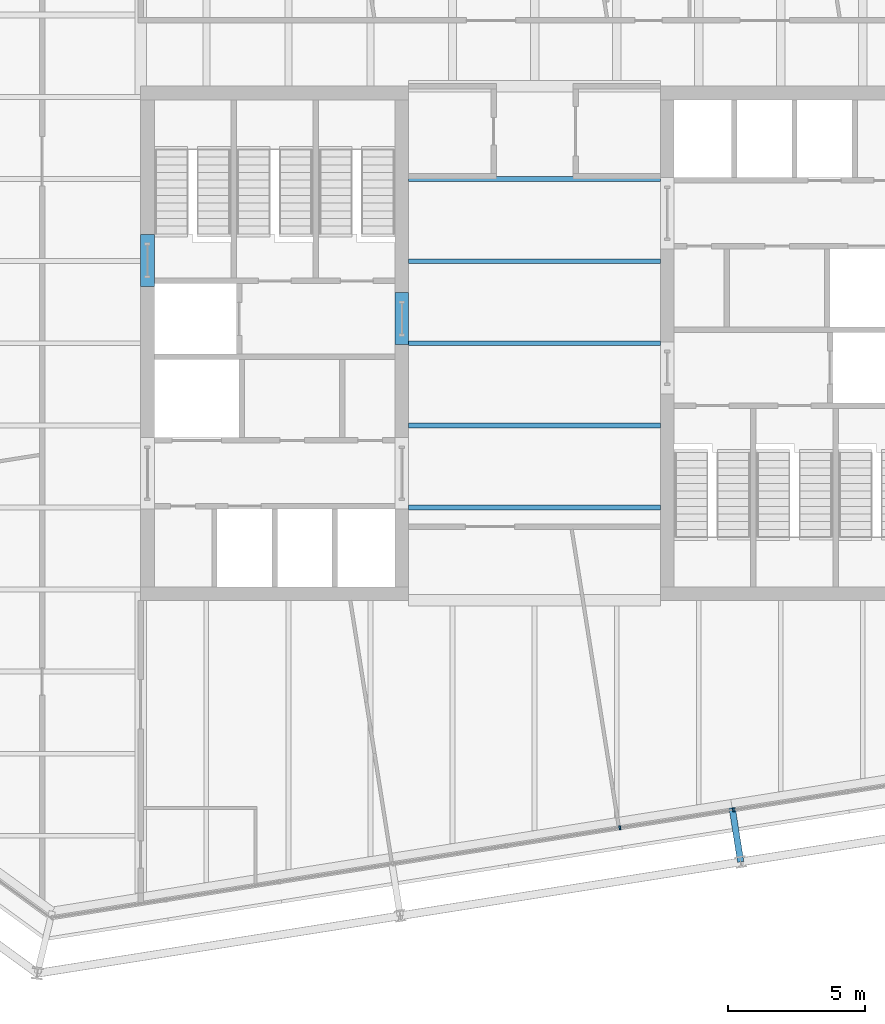
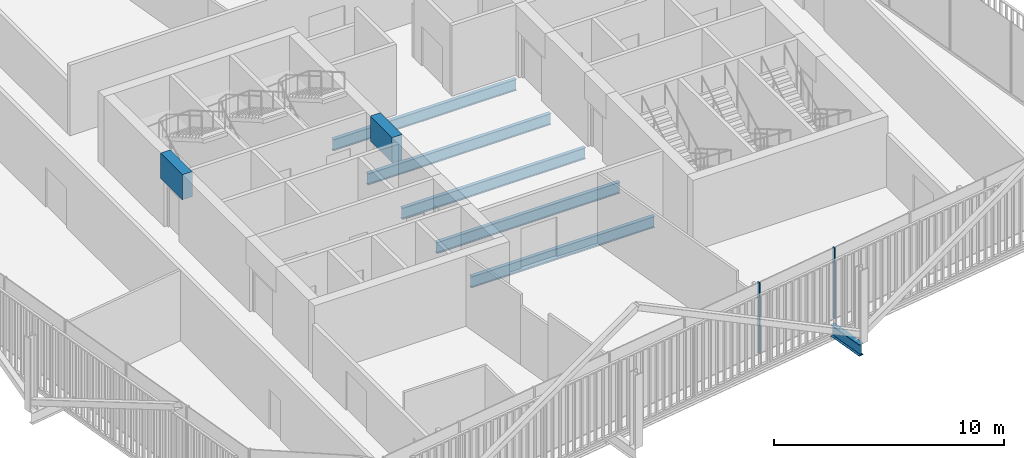
# One storey, part 8 of 21: 8 beams, 2 members, 1 element without a shape of its own.
"""IFC4 building model written with IfcOpenShell, lengths in metres."""

from ifc_helpers import new_model, si_unit, direction, frame, origin, origin_2d, place, context, subcontext, project, spatial, rectangle, i_section, extrude, material, layer, layer_set, material_profile, profile_set, type_object, element, aggregate, save


model = new_model("IFC4")

# Units and contexts
model_context = context("Model", 3, precision=1e-05, world=origin(), true_north=direction((0.0, 1.0)))
body_context = subcontext(model_context, "Body", "Model", "MODEL_VIEW")
ifc_project = project(units=[si_unit("LENGTHUNIT", "METRE"), si_unit("AREAUNIT", "SQUARE_METRE"), si_unit("VOLUMEUNIT", "CUBIC_METRE"), si_unit("PLANEANGLEUNIT", "RADIAN"), si_unit("MASSUNIT", "GRAM", prefix="KILO")], contexts=[model_context])

# Site, building, storey
site_placement = place(None, origin())
site = spatial("IfcSite", under=ifc_project, at=site_placement, CompositionType="ELEMENT")
building_placement = place(site_placement, origin())
building = spatial("IfcBuilding", under=site, at=building_placement, Name="Millrace Tower", CompositionType="ELEMENT")
storey_placement = place(building_placement, frame((0.0, 0.0, 247.39990234375)))
storey = spatial("IfcBuildingStorey", under=building, at=storey_placement, Name="L56", CompositionType="ELEMENT", Elevation=247.39990234375)

# Curtain wall, members
ifc_material_1 = material(Name="Aluminium and glass", Category="aluminium")
ifc_layer = layer(ifc_material_1, 0.14990234375)
ifc_layer_set = layer_set([ifc_layer], Name="Aluminium and glass")
curtain_wall_type = type_object("IfcCurtainWallType", Name="CW-1 office vision curtain wall", PredefinedType="NOTDEFINED", material=ifc_layer_set)
curtain_wall_placement = place(storey_placement, origin())
curtain_wall = element("IfcCurtainWall", 1, at=curtain_wall_placement, inside=storey, type_object=curtain_wall_type, Name="Curtain wall D-F02 L56", PredefinedType="NOTDEFINED")
ifc_material_2 = material(Name="Aluminium", Category="aluminium")
ifc_material_profile_1 = material_profile(ifc_material_2, rectangle(XDim=0.06494140625, YDim=0.14990234375, at=origin_2d()))
ifc_profile_set_1 = profile_set([ifc_material_profile_1], Name="Aluminium")
member_type = type_object("IfcMemberType", Name="CW-1 office vision curtain wall mullion", PredefinedType="MULLION", material=ifc_profile_set_1)
member_1_placement = place(storey_placement, frame((3.115966796875, -17.707275390625, 0.14013671875), z_axis=(0.0, 0.0, 1.0), x_axis=(0.987688339511, 0.156434471884, 0.0)))
member_1 = element("IfcMember", 2, at=member_1_placement, type_object=member_type, Name="CW1 mullion D-F02.6", PredefinedType="MULLION", context=body_context, shape_type="SweptSolid", body=[
    extrude(rectangle(XDim=0.06494140625, YDim=0.14990234375, at=origin_2d()), origin(), (0.0, 0.0, 1.0), 3.760009765625),
])
member_2_placement = place(storey_placement, frame((7.26416015625, -17.05029296875, 0.14013671875), z_axis=(0.0, 0.0, 1.0), x_axis=(0.987688339511, 0.156434471884, 0.0)))
member_2 = element("IfcMember", 3, at=member_2_placement, type_object=member_type, Name="CW1 mullion D-F02.7", PredefinedType="MULLION", context=body_context, shape_type="SweptSolid", body=[
    extrude(rectangle(XDim=0.06494140625, YDim=0.14990234375, at=origin_2d()), origin(), (0.0, 0.0, 1.0), 3.760009765625),
])
aggregate(curtain_wall, [member_1, member_2])

# Beams
ifc_material_3 = material(Name="Concrete C60", Category="concrete")
ifc_material_profile_2 = material_profile(ifc_material_3, rectangle(XDim=0.5, YDim=1.340087890625, at=origin_2d()))
ifc_profile_set_2 = profile_set([ifc_material_profile_2], Name="Concrete C60")
beam_type_1 = type_object("IfcBeamType", Name="Coupling beam 500 x 1340 Concrete C60, 1300 opening", PredefinedType="BEAM", material=ifc_profile_set_2)
beam_1_placement = place(storey_placement, frame((-14.14990234375, 2.080078125, 3.070068359375), z_axis=(0.0, 1.0, 0.0), x_axis=(-1.0, 0.0, 0.0)))
element("IfcBeam", 4, at=beam_1_placement, inside=storey, type_object=beam_type_1, Name="Coupling beam W L56", PredefinedType="BEAM", context=body_context, shape_type="SweptSolid", body=[
    extrude(rectangle(XDim=0.5, YDim=1.340087890625, at=origin_2d()), origin(), (0.0, 0.0, 1.0), 1.89990234375),
])
beam_2_placement = place(storey_placement, frame((-4.85009765625, -0.050048828125, 3.070068359375), z_axis=(0.0, 1.0, 0.0), x_axis=(-1.0, 0.0, 0.0)))
element("IfcBeam", 5, at=beam_2_placement, inside=storey, type_object=beam_type_1, Name="Coupling beam W L56", PredefinedType="BEAM", context=body_context, shape_type="SweptSolid", body=[
    extrude(rectangle(XDim=0.5, YDim=1.340087890625, at=origin_2d()), origin(), (0.0, 0.0, 1.0), 1.900146484375),
])
ifc_material_4 = material(Name="Steel ASTM A992 Grade 50", Category="steel")
ifc_material_profile_3 = material_profile(ifc_material_4, i_section(OverallWidth=0.177978515625, OverallDepth=0.599365234375, WebThickness=0.010009765625, FlangeThickness=0.012939453125, FilletRadius=0.012939453125, at=origin_2d()))
ifc_profile_set_3 = profile_set([ifc_material_profile_3], Name="Steel ASTM A992 Grade 50")
beam_type_2 = type_object("IfcBeamType", Name="Floor beam W24x55", PredefinedType="JOIST", material=ifc_profile_set_3)
for number, where, z_axis, x_axis, name in (
    (6, (-4.60009765625, -6.0, -0.459716796875), (1.0, 0.0, 0.0), (0.0, 1.0, 0.0), "BM-D-L56-S1-S008"),
    (7, (-4.60009765625, -3.0, -0.459716796875), (1.0, 0.0, 0.0), (0.0, 1.0, 0.0), "BM-D-L56-S1-S011"),
    (8, (-4.60009765625, 0.0, -0.459716796875), (1.0, 0.0, 0.0), (0.0, 1.0, 0.0), "BM-D-L56-S1-S014"),
    (9, (-4.60009765625, 3.0, -0.459716796875), (1.0, 0.0, 0.0), (0.0, 1.0, 0.0), "BM-D-L56-S1-S017"),
    (10, (-4.60009765625, 6.0, -0.459716796875), (1.0, 0.0, 0.0), (0.0, 1.0, 0.0), "BM-D-L56-S1-S020"),
):
    element("IfcBeam", number, at=place(storey_placement, frame(where, z_axis=z_axis, x_axis=x_axis)), inside=storey, type_object=beam_type_2, Name=name, PredefinedType="JOIST", context=body_context, shape_type="SweptSolid", body=[
        extrude(i_section(OverallWidth=0.177978515625, OverallDepth=0.599365234375, WebThickness=0.010009765625, FlangeThickness=0.012939453125, FilletRadius=0.012939453125, at=origin_2d()), origin(), (0.0, 0.0, 1.0), 9.2001953125),
    ])
ifc_material_5 = material(Name="Steel ASTM A992 Grade 50", Category="steel")
ifc_material_profile_4 = material_profile(ifc_material_5, i_section(OverallWidth=0.23046875, OverallDepth=0.6171875, WebThickness=0.01318359375, FlangeThickness=0.022216796875, FilletRadius=0.012939453125, at=origin_2d()))
ifc_profile_set_4 = profile_set([ifc_material_profile_4], Name="Steel ASTM A992 Grade 50")
beam_type_3 = type_object("IfcBeamType", Name="Link beam W24x94", PredefinedType="BEAM", material=ifc_profile_set_4)
beam_3_placement = place(storey_placement, frame((7.220458984375, -16.981201171875, -0.468505859375), z_axis=(0.156357438014, -0.987700537399, 0.0), x_axis=(0.987700537399, 0.156357438014, 0.0)))
element("IfcBeam", 11, at=beam_3_placement, inside=storey, type_object=beam_type_3, Name="LNK-D-L56-S1-14", PredefinedType="BEAM", context=body_context, shape_type="SweptSolid", body=[
    extrude(i_section(OverallWidth=0.23046875, OverallDepth=0.6171875, WebThickness=0.01318359375, FlangeThickness=0.022216796875, FilletRadius=0.012939453125, at=origin_2d()), origin(), (0.0, 0.0, 1.0), 2.000244140625),
])

save(model, "model.ifc")
